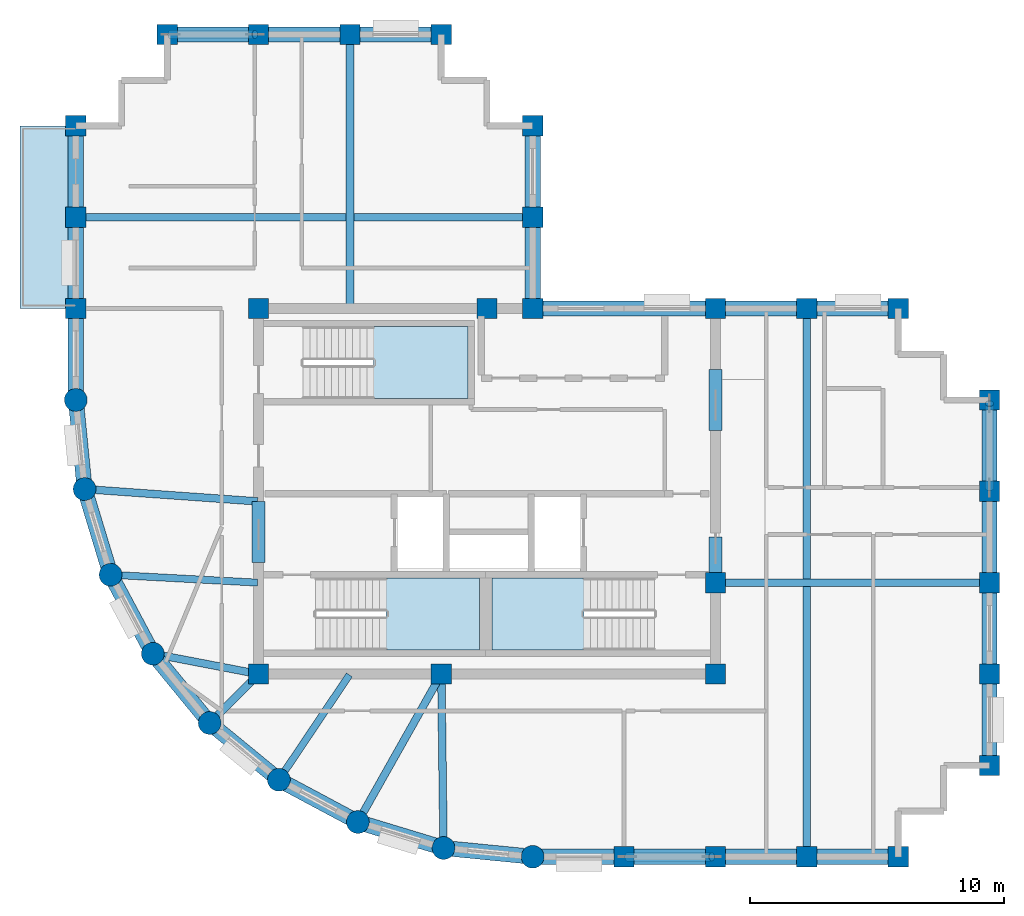
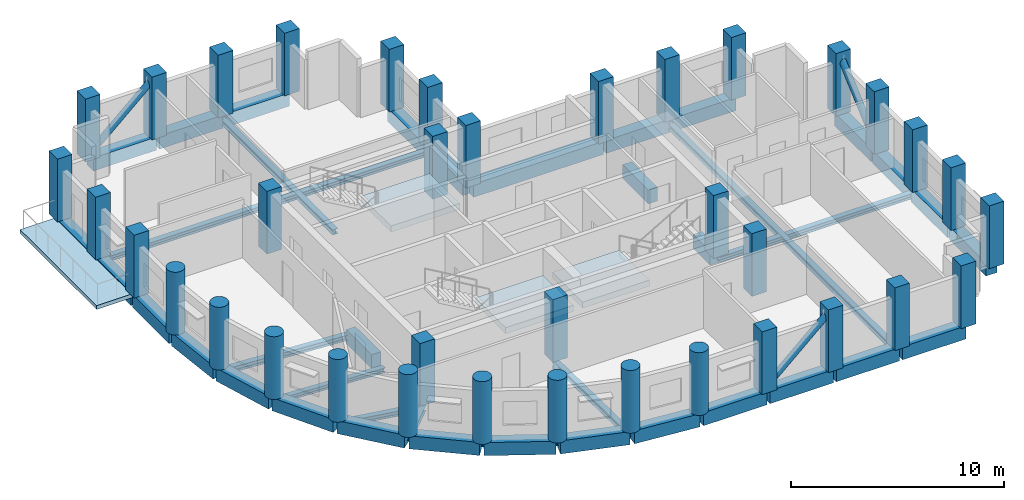
# One storey, part 1 of 7: 41 beams, 37 columns, 4 slabs, 3 members, 3 elements without a shape of their own.
"""IFC4 building model written with IfcOpenShell, lengths in metres."""

from ifc_helpers import new_model, si_unit, direction, frame, origin, origin_2d, place, context, subcontext, project, spatial, polyline, rectangle, circle, hollow_circle, i_section, outline, extrude, material, layer, layer_set, material_profile, profile_set, type_object, element, aggregate, save


model = new_model("IFC4")

# Units and contexts
model_context = context("Model", 3, precision=1e-05, world=origin(), true_north=direction((0.0, 1.0)))
body_context = subcontext(model_context, "Body", "Model", "MODEL_VIEW")
ifc_project = project(units=[si_unit("LENGTHUNIT", "METRE"), si_unit("AREAUNIT", "SQUARE_METRE"), si_unit("VOLUMEUNIT", "CUBIC_METRE"), si_unit("PLANEANGLEUNIT", "RADIAN"), si_unit("MASSUNIT", "GRAM", prefix="KILO")], contexts=[model_context])

# Site, building, storey
site_placement = place(None, origin())
site = spatial("IfcSite", under=ifc_project, at=site_placement, CompositionType="ELEMENT")
building_placement = place(site_placement, origin())
building = spatial("IfcBuilding", under=site, at=building_placement, Name="Solnavia Interchange Tower", CompositionType="ELEMENT")
storey_placement = place(building_placement, frame((0.0, 0.0, 266.60009765625)))
storey = spatial("IfcBuildingStorey", under=building, at=storey_placement, Name="L67", CompositionType="ELEMENT", Elevation=266.60009765625)

# Columns
ifc_material_1 = material(Name="Concrete C50/60", Category="concrete")
ifc_material_profile_1 = material_profile(ifc_material_1, rectangle(XDim=0.800048828125, YDim=0.800048828125, at=origin_2d()), Name="RC 800x800")
ifc_profile_set_1 = profile_set([ifc_material_profile_1], Name="Concrete C50/60")
column_type_1 = type_object("IfcColumnType", Name="Col-RC-800x800", PredefinedType="COLUMN", material=ifc_profile_set_1)
for number, where, z_axis, x_axis, name in (
    (1, (7.199951171875, 25.199951171875, 0.0), (0.0, 0.0, 1.0), (0.0, 1.0, 0.0), "COL-L67-02 Tower perim y column"),
    (2, (7.199951171875, 28.800048828125, 0.0), (0.0, 0.0, 1.0), (0.0, 1.0, 0.0), "COL-L67-03 Tower perim y column"),
    (3, (7.199951171875, 32.39990234375, 0.0), (0.0, 0.0, 1.0), (0.0, 1.0, 0.0), "COL-L67-04 Tower corner column"),
    (4, (10.800048828125, 36.0, 0.0), (0.0, 0.0, 1.0), (1.0, 0.0, 0.0), "COL-L67-08 Tower corner column"),
    (5, (14.39990234375, 10.800048828125, 0.0), (0.0, 0.0, 1.0), (1.0, 0.0, 0.0), "COL-L67-10 Tower interior column"),
    (6, (14.39990234375, 25.199951171875, 0.0), (0.0, 0.0, 1.0), (1.0, 0.0, 0.0), "COL-L67-11 Tower interior column"),
    (7, (14.39990234375, 36.0, 0.0), (0.0, 0.0, 1.0), (1.0, 0.0, 0.0), "COL-L67-12 Tower perim x column"),
    (8, (18.0, 36.0, 0.0), (0.0, 0.0, 1.0), (1.0, 0.0, 0.0), "COL-L67-14 Tower perim x column"),
    (9, (21.60009765625, 10.800048828125, 0.0), (0.0, 0.0, 1.0), (1.0, 0.0, 0.0), "COL-L67-16 Tower interior column"),
    (10, (21.60009765625, 36.0, 0.0), (0.0, 0.0, 1.0), (1.0, 0.0, 0.0), "COL-L67-17 Tower corner column"),
    (11, (23.39990234375, 25.199951171875, 0.0), (0.0, 0.0, 1.0), (1.0, 0.0, 0.0), "COL-L67-19 Tower interior column"),
    (12, (25.199951171875, 25.199951171875, 0.0), (0.0, 0.0, 1.0), (1.0, 0.0, 0.0), "COL-L67-21 Tower interior column"),
    (13, (25.199951171875, 28.800048828125, 0.0), (0.0, 0.0, 1.0), (0.0, 1.0, 0.0), "COL-L67-22 Tower perim y column"),
    (14, (25.199951171875, 32.39990234375, 0.0), (0.0, 0.0, 1.0), (0.0, 1.0, 0.0), "COL-L67-23 Tower corner column"),
    (15, (28.800048828125, 3.60009765625, 0.0), (0.0, 0.0, 1.0), (1.0, 0.0, 0.0), "COL-L67-24 Tower perim x column"),
    (16, (32.39990234375, 3.60009765625, 0.0), (0.0, 0.0, 1.0), (1.0, 0.0, 0.0), "COL-L67-25 Tower perim x column"),
    (17, (32.39990234375, 10.800048828125, 0.0), (0.0, 0.0, 1.0), (1.0, 0.0, 0.0), "COL-L67-26 Tower interior column"),
    (18, (32.39990234375, 14.39990234375, 0.0), (0.0, 0.0, 1.0), (1.0, 0.0, 0.0), "COL-L67-27 Tower interior column"),
    (19, (32.39990234375, 25.199951171875, 0.0), (0.0, 0.0, 1.0), (1.0, 0.0, 0.0), "COL-L67-28 Tower interior column"),
    (20, (36.0, 3.60009765625, 0.0), (0.0, 0.0, 1.0), (1.0, 0.0, 0.0), "COL-L67-29 Tower perim x column"),
    (21, (36.0, 25.199951171875, 0.0), (0.0, 0.0, 1.0), (1.0, 0.0, 0.0), "COL-L67-30 Tower perim x column"),
    (22, (39.60009765625, 3.60009765625, 0.0), (0.0, 0.0, 1.0), (1.0, 0.0, 0.0), "COL-L67-31 Tower corner column"),
    (23, (39.60009765625, 25.199951171875, 0.0), (0.0, 0.0, 1.0), (1.0, 0.0, 0.0), "COL-L67-32 Tower corner column"),
    (24, (43.199951171875, 7.199951171875, 0.0), (0.0, 0.0, 1.0), (1.0, 0.0, 0.0), "COL-L67-33 Tower corner column"),
    (25, (43.199951171875, 10.800048828125, 0.0), (0.0, 0.0, 1.0), (0.0, 1.0, 0.0), "COL-L67-34 Tower perim y column"),
    (26, (43.199951171875, 14.39990234375, 0.0), (0.0, 0.0, 1.0), (0.0, 1.0, 0.0), "COL-L67-35 Tower perim y column"),
    (27, (43.199951171875, 18.0, 0.0), (0.0, 0.0, 1.0), (0.0, 1.0, 0.0), "COL-L67-36 Tower perim y column"),
    (28, (43.199951171875, 21.60009765625, 0.0), (0.0, 0.0, 1.0), (0.0, 1.0, 0.0), "COL-L67-37 Tower corner column"),
):
    element("IfcColumn", number, at=place(storey_placement, frame(where, z_axis=z_axis, x_axis=x_axis)), inside=storey, type_object=column_type_1, Name=name, PredefinedType="COLUMN", context=body_context, shape_type="SweptSolid", body=[
        extrude(rectangle(XDim=0.800048828125, YDim=0.800048828125, at=origin_2d()), origin(), (0.0, 0.0, 1.0), 3.599853515625),
    ])
ifc_material_profile_2 = material_profile(ifc_material_1, circle(Radius=0.449951171875, at=origin_2d()), Name="RC D900")
ifc_profile_set_2 = profile_set([ifc_material_profile_2], Name="Concrete C50/60")
column_type_2 = type_object("IfcColumnType", Name="Col-RC-D900", PredefinedType="COLUMN", material=ifc_profile_set_2)
for number, where, z_axis, x_axis, name in (
    (29, (7.199951171875, 21.60009765625, 0.0), (0.0, 0.0, 1.0), (1.0, 0.0, 0.0), "COL-L67-01 Tower drum column"),
    (30, (7.5458984375, 18.087890625, 0.0), (0.0, 0.0, 1.0), (1.0, 0.0, 0.0), "COL-L67-05 Tower drum column"),
    (31, (8.570068359375, 14.7119140625, 0.0), (0.0, 0.0, 1.0), (1.0, 0.0, 0.0), "COL-L67-06 Tower drum column"),
    (32, (10.23388671875, 11.60009765625, 0.0), (0.0, 0.0, 1.0), (1.0, 0.0, 0.0), "COL-L67-07 Tower drum column"),
    (33, (12.471923828125, 8.8720703125, 0.0), (0.0, 0.0, 1.0), (1.0, 0.0, 0.0), "COL-L67-09 Tower drum column"),
    (34, (15.199951171875, 6.634033203125, 0.0), (0.0, 0.0, 1.0), (1.0, 0.0, 0.0), "COL-L67-13 Tower drum column"),
    (35, (18.31201171875, 4.969970703125, 0.0), (0.0, 0.0, 1.0), (1.0, 0.0, 0.0), "COL-L67-15 Tower drum column"),
    (36, (21.68798828125, 3.946044921875, 0.0), (0.0, 0.0, 1.0), (1.0, 0.0, 0.0), "COL-L67-18 Tower drum column"),
    (37, (25.199951171875, 3.60009765625, 0.0), (0.0, 0.0, 1.0), (1.0, 0.0, 0.0), "COL-L67-20 Tower drum column"),
):
    element("IfcColumn", number, at=place(storey_placement, frame(where, z_axis=z_axis, x_axis=x_axis)), inside=storey, type_object=column_type_2, Name=name, PredefinedType="COLUMN", context=body_context, shape_type="SweptSolid", body=[
        extrude(circle(Radius=0.449951171875, at=origin_2d()), origin(), (0.0, 0.0, 1.0), 3.599853515625),
    ])

# Beams
ifc_material_profile_3 = material_profile(ifc_material_1, rectangle(XDim=0.5, YDim=0.800048828125, at=origin_2d()), Name="RC 500x800")
ifc_profile_set_3 = profile_set([ifc_material_profile_3], Name="Concrete C50/60")
beam_type_1 = type_object("IfcBeamType", Name="Beam-Coupling-RC500x800", PredefinedType="LINTEL", material=ifc_profile_set_3)
beam_1_placement = place(storey_placement, frame((14.39990234375, 15.199951171875, -0.400146484375), z_axis=(0.0, 1.0, 0.0), x_axis=(-1.0, 0.0, 0.0)))
element("IfcBeam", 38, at=beam_1_placement, inside=storey, type_object=beam_type_1, Name="CPB-L67-W1 Core coupling lintel beam", PredefinedType="LINTEL", context=body_context, shape_type="SweptSolid", body=[
    extrude(rectangle(XDim=0.5, YDim=0.800048828125, at=origin_2d()), origin(), (0.0, 0.0, 1.0), 2.400146484375),
])
beam_2_placement = place(storey_placement, frame((32.39990234375, 14.60009765625, -0.400146484375), z_axis=(0.0, 1.0, 0.0), x_axis=(-1.0, 0.0, 0.0)))
element("IfcBeam", 39, at=beam_2_placement, inside=storey, type_object=beam_type_1, Name="CPB-L67-E1 Core coupling lintel beam", PredefinedType="LINTEL", context=body_context, shape_type="SweptSolid", body=[
    extrude(rectangle(XDim=0.5, YDim=0.800048828125, at=origin_2d()), origin(), (0.0, 0.0, 1.0), 1.599853515625),
])
beam_3_placement = place(storey_placement, frame((32.39990234375, 20.39990234375, -0.400146484375), z_axis=(0.0, 1.0, 0.0), x_axis=(-1.0, 0.0, 0.0)))
element("IfcBeam", 40, at=beam_3_placement, inside=storey, type_object=beam_type_1, Name="CPB-L67-E2 Core coupling lintel beam", PredefinedType="LINTEL", context=body_context, shape_type="SweptSolid", body=[
    extrude(rectangle(XDim=0.5, YDim=0.800048828125, at=origin_2d()), origin(), (0.0, 0.0, 1.0), 2.400146484375),
])
ifc_material_2 = material(Name="Steel S460", Category="steel")
ifc_material_profile_4 = material_profile(ifc_material_2, i_section(OverallWidth=0.300048828125, OverallDepth=0.300048828125, WebThickness=0.010986328125, FlangeThickness=0.01904296875, FilletRadius=0.027099609375, at=origin_2d()), Name="HEB 300")
ifc_profile_set_4 = profile_set([ifc_material_profile_4], Name="Steel S460")
beam_type_2 = type_object("IfcBeamType", Name="Beam-Girder-HEB300", PredefinedType="BEAM", material=ifc_profile_set_4)
beam_4_placement = place(storey_placement, frame((32.47998046875, 14.39990234375, -0.400146484375), z_axis=(1.0, 0.0, 0.0), x_axis=(0.0, 1.0, 0.0)))
element("IfcBeam", 41, at=beam_4_placement, inside=storey, type_object=beam_type_2, Name="GRD-L67-ES01 East wing spine girder", PredefinedType="BEAM", context=body_context, shape_type="SweptSolid", body=[
    extrude(i_section(OverallWidth=0.300048828125, OverallDepth=0.300048828125, WebThickness=0.010986328125, FlangeThickness=0.01904296875, FilletRadius=0.027099609375, at=origin_2d()), origin(), (0.0, 0.0, 1.0), 10.64013671875),
])
beam_5_placement = place(storey_placement, frame((18.0, 25.280029296875, -0.400146484375), z_axis=(0.0, 1.0, 0.0), x_axis=(-1.0, 0.0, 0.0)))
element("IfcBeam", 42, at=beam_5_placement, inside=storey, type_object=beam_type_2, Name="GRD-L67-NS03 North wing spine girder", PredefinedType="BEAM", context=body_context, shape_type="SweptSolid", body=[
    extrude(i_section(OverallWidth=0.300048828125, OverallDepth=0.300048828125, WebThickness=0.010986328125, FlangeThickness=0.01904296875, FilletRadius=0.027099609375, at=origin_2d()), origin(), (0.0, 0.0, 1.0), 10.639892578125),
])
beam_6_placement = place(storey_placement, frame((7.280029296875, 28.800048828125, -0.400146484375), z_axis=(1.0, 0.0, 0.0), x_axis=(0.0, 1.0, 0.0)))
element("IfcBeam", 43, at=beam_6_placement, inside=storey, type_object=beam_type_2, Name="GRD-L67-NW04 North wing primary floor girder", PredefinedType="BEAM", context=body_context, shape_type="SweptSolid", body=[
    extrude(i_section(OverallWidth=0.300048828125, OverallDepth=0.300048828125, WebThickness=0.010986328125, FlangeThickness=0.01904296875, FilletRadius=0.027099609375, at=origin_2d()), origin(), (0.0, 0.0, 1.0), 17.840087890625),
])
beam_7_placement = place(storey_placement, frame((10.3125, 11.5849609375, -0.400146484375), z_axis=(0.982057527796, -0.188581579428, 0.0), x_axis=(0.188581579428, 0.982057527796, 0.0)))
element("IfcBeam", 44, at=beam_7_placement, inside=storey, type_object=beam_type_2, Name="GRD-L67-DR07 Drum radial floor girder", PredefinedType="BEAM", context=body_context, shape_type="SweptSolid", body=[
    extrude(i_section(OverallWidth=0.300048828125, OverallDepth=0.300048828125, WebThickness=0.010986328125, FlangeThickness=0.01904296875, FilletRadius=0.027099609375, at=origin_2d()), origin(), (0.0, 0.0, 1.0), 4.1220703125),
])
beam_8_placement = place(storey_placement, frame((18.351318359375, 5.039794921875, -0.400146484375), z_axis=(0.491243158486, 0.871022479182, 0.0), x_axis=(-0.871022479182, 0.491243158486, 0.0)))
element("IfcBeam", 45, at=beam_8_placement, inside=storey, type_object=beam_type_2, Name="GRD-L67-DR10 Drum radial floor girder", PredefinedType="BEAM", context=body_context, shape_type="SweptSolid", body=[
    extrude(i_section(OverallWidth=0.300048828125, OverallDepth=0.300048828125, WebThickness=0.010986328125, FlangeThickness=0.01904296875, FilletRadius=0.027099609375, at=origin_2d()), origin(), (0.0, 0.0, 1.0), 6.5732421875),
])
ifc_material_3 = material(Name="Steel S355", Category="steel")
ifc_material_profile_5 = material_profile(ifc_material_3, i_section(OverallWidth=0.280029296875, OverallDepth=0.27001953125, WebThickness=0.008056640625, FlangeThickness=0.012939453125, FilletRadius=0.02392578125, at=origin_2d()), Name="HEA 280")
ifc_profile_set_5 = profile_set([ifc_material_profile_5], Name="Steel S355")
beam_type_3 = type_object("IfcBeamType", Name="Beam-Primary-HEA280", PredefinedType="BEAM", material=ifc_profile_set_5)
beam_9_placement = place(storey_placement, frame((8.64990234375, 14.707763671875, -0.385009765625), z_axis=(0.998570371303, -0.053452909696, 0.0), x_axis=(0.053452909696, 0.998570371303, 0.0)))
element("IfcBeam", 46, at=beam_9_placement, inside=storey, type_object=beam_type_3, Name="GRD-L67-DR06 Drum radial floor girder", PredefinedType="BEAM", context=body_context, shape_type="SweptSolid", body=[
    extrude(i_section(OverallWidth=0.280029296875, OverallDepth=0.27001953125, WebThickness=0.008056640625, FlangeThickness=0.012939453125, FilletRadius=0.02392578125, at=origin_2d()), origin(), (0.0, 0.0, 1.0), 5.71826171875),
])
beam_10_placement = place(storey_placement, frame((15.24462890625, 6.700439453125, -0.385009765625), z_axis=(0.557835474219, 0.829951555033, 0.0), x_axis=(-0.829951555033, 0.557835474219, 0.0)))
element("IfcBeam", 47, at=beam_10_placement, inside=storey, type_object=beam_type_3, Name="GRD-L67-DR09 Drum radial floor girder", PredefinedType="BEAM", context=body_context, shape_type="SweptSolid", body=[
    extrude(i_section(OverallWidth=0.280029296875, OverallDepth=0.27001953125, WebThickness=0.008056640625, FlangeThickness=0.012939453125, FilletRadius=0.02392578125, at=origin_2d()), origin(), (0.0, 0.0, 1.0), 4.899658203125),
])
ifc_material_profile_6 = material_profile(ifc_material_3, i_section(OverallWidth=0.300048828125, OverallDepth=0.31005859375, WebThickness=0.009033203125, FlangeThickness=0.015380859375, FilletRadius=0.027099609375, at=origin_2d()), Name="HEA 320")
ifc_profile_set_6 = profile_set([ifc_material_profile_6], Name="Steel S355")
beam_type_4 = type_object("IfcBeamType", Name="Beam-Primary-HEA320", PredefinedType="BEAM", material=ifc_profile_set_6)
beam_11_placement = place(storey_placement, frame((36.0, 3.679931640625, -0.405029296875), z_axis=(0.0, 1.0, 0.0), x_axis=(-1.0, 0.0, 0.0)))
element("IfcBeam", 48, at=beam_11_placement, inside=storey, type_object=beam_type_4, Name="GRD-L67-EW02 East wing primary floor girder", PredefinedType="BEAM", context=body_context, shape_type="SweptSolid", body=[
    extrude(i_section(OverallWidth=0.300048828125, OverallDepth=0.31005859375, WebThickness=0.009033203125, FlangeThickness=0.015380859375, FilletRadius=0.027099609375, at=origin_2d()), origin(), (0.0, 0.0, 1.0), 21.440185546875),
])
beam_12_placement = place(storey_placement, frame((7.625732421875, 18.082275390625, -0.405029296875), z_axis=(0.99747482749, -0.071020902015, 0.0), x_axis=(0.071020902015, 0.99747482749, 0.0)))
element("IfcBeam", 49, at=beam_12_placement, inside=storey, type_object=beam_type_4, Name="GRD-L67-DR05 Drum radial floor girder", PredefinedType="BEAM", context=body_context, shape_type="SweptSolid", body=[
    extrude(i_section(OverallWidth=0.300048828125, OverallDepth=0.31005859375, WebThickness=0.009033203125, FlangeThickness=0.015380859375, FilletRadius=0.027099609375, at=origin_2d()), origin(), (0.0, 0.0, 1.0), 6.75146484375),
])
beam_13_placement = place(storey_placement, frame((12.528564453125, 8.9287109375, -0.405029296875), z_axis=(0.707106781187, 0.707106781187, 0.0), x_axis=(-0.707106781187, 0.707106781187, 0.0)))
element("IfcBeam", 50, at=beam_13_placement, inside=storey, type_object=beam_type_4, Name="GRD-L67-DR08 Drum radial floor girder", PredefinedType="BEAM", context=body_context, shape_type="SweptSolid", body=[
    extrude(i_section(OverallWidth=0.300048828125, OverallDepth=0.31005859375, WebThickness=0.009033203125, FlangeThickness=0.015380859375, FilletRadius=0.027099609375, at=origin_2d()), origin(), (0.0, 0.0, 1.0), 2.6064453125),
])
beam_14_placement = place(storey_placement, frame((21.68701171875, 4.02587890625, -0.405029296875), z_axis=(-0.01283293513, 0.999917654498, 0.0), x_axis=(-0.999917654498, -0.01283293513, 0.0)))
element("IfcBeam", 51, at=beam_14_placement, inside=storey, type_object=beam_type_4, Name="GRD-L67-DR11 Drum radial floor girder", PredefinedType="BEAM", context=body_context, shape_type="SweptSolid", body=[
    extrude(i_section(OverallWidth=0.300048828125, OverallDepth=0.31005859375, WebThickness=0.009033203125, FlangeThickness=0.015380859375, FilletRadius=0.027099609375, at=origin_2d()), origin(), (0.0, 0.0, 1.0), 6.734619140625),
])
ifc_material_profile_7 = material_profile(ifc_material_1, rectangle(XDim=0.60009765625, YDim=0.75, at=origin_2d()), Name="RC 600x750")
ifc_profile_set_7 = profile_set([ifc_material_profile_7], Name="Concrete C50/60")
beam_type_5 = type_object("IfcBeamType", Name="Beam-Spandrel-RC600x750", PredefinedType="SPANDREL", material=ifc_profile_set_7)
beam_15_placement = place(storey_placement, frame((7.207763671875, 21.5205078125, -0.375), z_axis=(0.098040038117, -0.995182471171, 0.0), x_axis=(0.995182471171, 0.098040038117, 0.0)))
element("IfcBeam", 52, at=beam_15_placement, inside=storey, type_object=beam_type_5, Name="SPB-L67-01 Framed-tube perimeter spandrel beam", PredefinedType="SPANDREL", context=body_context, shape_type="SweptSolid", body=[
    extrude(rectangle(XDim=0.60009765625, YDim=0.75, at=origin_2d()), origin(), (0.0, 0.0, 1.0), 3.369140625),
])
beam_16_placement = place(storey_placement, frame((7.569091796875, 18.011474609375, -0.375), z_axis=(0.290319223646, -0.956929855518, 0.0), x_axis=(0.956929855518, 0.290319223646, 0.0)))
element("IfcBeam", 53, at=beam_16_placement, inside=storey, type_object=beam_type_5, Name="SPB-L67-02 Framed-tube perimeter spandrel beam", PredefinedType="SPANDREL", context=body_context, shape_type="SweptSolid", body=[
    extrude(rectangle(XDim=0.60009765625, YDim=0.75, at=origin_2d()), origin(), (0.0, 0.0, 1.0), 3.367919921875),
])
beam_17_placement = place(storey_placement, frame((8.607666015625, 14.6416015625, -0.375), z_axis=(0.471509422952, -0.881861023102, 0.0), x_axis=(0.881861023102, 0.471509422952, 0.0)))
element("IfcBeam", 54, at=beam_17_placement, inside=storey, type_object=beam_type_5, Name="SPB-L67-03 Framed-tube perimeter spandrel beam", PredefinedType="SPANDREL", context=body_context, shape_type="SweptSolid", body=[
    extrude(rectangle(XDim=0.60009765625, YDim=0.75, at=origin_2d()), origin(), (0.0, 0.0, 1.0), 3.369140625),
])
for number, where, z_axis, x_axis, name in (
    (55, (10.28466796875, 11.5380859375, -0.375), (0.634298841675, -0.773087950656, 0.0), (0.773087950656, 0.634298841675, 0.0), "SPB-L67-04 Framed-tube perimeter spandrel beam"),
    (56, (12.53369140625, 8.8212890625, -0.375), (0.773152644452, -0.634219984214, 0.0), (0.634219984214, 0.773152644452, 0.0), "SPB-L67-05 Framed-tube perimeter spandrel beam"),
):
    element("IfcBeam", number, at=place(storey_placement, frame(where, z_axis=z_axis, x_axis=x_axis)), inside=storey, type_object=beam_type_5, Name=name, PredefinedType="SPANDREL", context=body_context, shape_type="SweptSolid", body=[
        extrude(rectangle(XDim=0.60009765625, YDim=0.75, at=origin_2d()), origin(), (0.0, 0.0, 1.0), 3.36865234375),
    ])
beam_18_placement = place(storey_placement, frame((15.2705078125, 6.59619140625, -0.375), z_axis=(0.881875044348, -0.47148319817, 0.0), x_axis=(0.47148319817, 0.881875044348, 0.0)))
element("IfcBeam", 57, at=beam_18_placement, inside=storey, type_object=beam_type_5, Name="SPB-L67-06 Framed-tube perimeter spandrel beam", PredefinedType="SPANDREL", context=body_context, shape_type="SweptSolid", body=[
    extrude(rectangle(XDim=0.60009765625, YDim=0.75, at=origin_2d()), origin(), (0.0, 0.0, 1.0), 3.368896484375),
])
beam_19_placement = place(storey_placement, frame((18.388671875, 4.94677734375, -0.375), z_axis=(0.956943884494, -0.290272978297, 0.0), x_axis=(0.290272978297, 0.956943884494, 0.0)))
element("IfcBeam", 58, at=beam_19_placement, inside=storey, type_object=beam_type_5, Name="SPB-L67-07 Framed-tube perimeter spandrel beam", PredefinedType="SPANDREL", context=body_context, shape_type="SweptSolid", body=[
    extrude(rectangle(XDim=0.60009765625, YDim=0.75, at=origin_2d()), origin(), (0.0, 0.0, 1.0), 3.36767578125),
])
beam_20_placement = place(storey_placement, frame((21.767578125, 3.938232421875, -0.375), z_axis=(0.995181774609, -0.098047108501, 0.0), x_axis=(0.098047108501, 0.995181774609, 0.0)))
element("IfcBeam", 59, at=beam_20_placement, inside=storey, type_object=beam_type_5, Name="SPB-L67-08 Framed-tube perimeter spandrel beam", PredefinedType="SPANDREL", context=body_context, shape_type="SweptSolid", body=[
    extrude(rectangle(XDim=0.60009765625, YDim=0.75, at=origin_2d()), origin(), (0.0, 0.0, 1.0), 3.368896484375),
])
beam_21_placement = place(storey_placement, frame((25.280029296875, 3.60009765625, -0.375), z_axis=(1.0, 0.0, 0.0), x_axis=(0.0, 1.0, 0.0)))
element("IfcBeam", 60, at=beam_21_placement, inside=storey, type_object=beam_type_5, Name="SPB-L67-09 Framed-tube perimeter spandrel beam", PredefinedType="SPANDREL", context=body_context, shape_type="SweptSolid", body=[
    extrude(rectangle(XDim=0.60009765625, YDim=0.75, at=origin_2d()), origin(), (0.0, 0.0, 1.0), 3.43994140625),
])
beam_22_placement = place(storey_placement, frame((28.8798828125, 3.60009765625, -0.375), z_axis=(1.0, 0.0, 0.0), x_axis=(0.0, 1.0, 0.0)))
element("IfcBeam", 61, at=beam_22_placement, inside=storey, type_object=beam_type_5, Name="SPB-L67-10 Framed-tube perimeter spandrel beam", PredefinedType="SPANDREL", context=body_context, shape_type="SweptSolid", body=[
    extrude(rectangle(XDim=0.60009765625, YDim=0.75, at=origin_2d()), origin(), (0.0, 0.0, 1.0), 3.440185546875),
])
for number, where, z_axis, x_axis, name in (
    (62, (32.47998046875, 3.60009765625, -0.375), (1.0, 0.0, 0.0), (0.0, 1.0, 0.0), "SPB-L67-11 Framed-tube perimeter spandrel beam"),
    (63, (36.080078125, 3.60009765625, -0.375), (1.0, 0.0, 0.0), (0.0, 1.0, 0.0), "SPB-L67-12 Framed-tube perimeter spandrel beam"),
    (64, (43.199951171875, 7.280029296875, -0.375), (0.0, 1.0, 0.0), (-1.0, 0.0, 0.0), "SPB-L67-13 Framed-tube perimeter spandrel beam"),
):
    element("IfcBeam", number, at=place(storey_placement, frame(where, z_axis=z_axis, x_axis=x_axis)), inside=storey, type_object=beam_type_5, Name=name, PredefinedType="SPANDREL", context=body_context, shape_type="SweptSolid", body=[
        extrude(rectangle(XDim=0.60009765625, YDim=0.75, at=origin_2d()), origin(), (0.0, 0.0, 1.0), 3.43994140625),
    ])
beam_23_placement = place(storey_placement, frame((43.199951171875, 10.8798828125, -0.375), z_axis=(0.0, 1.0, 0.0), x_axis=(-1.0, 0.0, 0.0)))
element("IfcBeam", 65, at=beam_23_placement, inside=storey, type_object=beam_type_5, Name="SPB-L67-14 Framed-tube perimeter spandrel beam", PredefinedType="SPANDREL", context=body_context, shape_type="SweptSolid", body=[
    extrude(rectangle(XDim=0.60009765625, YDim=0.75, at=origin_2d()), origin(), (0.0, 0.0, 1.0), 3.440185546875),
])
for number, where, z_axis, x_axis, name in (
    (66, (43.199951171875, 14.47998046875, -0.375), (0.0, 1.0, 0.0), (-1.0, 0.0, 0.0), "SPB-L67-15 Framed-tube perimeter spandrel beam"),
    (67, (43.199951171875, 18.080078125, -0.375), (0.0, 1.0, 0.0), (-1.0, 0.0, 0.0), "SPB-L67-16 Framed-tube perimeter spandrel beam"),
    (68, (39.52001953125, 25.199951171875, -0.375), (-1.0, 0.0, 0.0), (0.0, -1.0, 0.0), "SPB-L67-17 Framed-tube perimeter spandrel beam"),
    (69, (35.919921875, 25.199951171875, -0.375), (-1.0, 0.0, 0.0), (0.0, -1.0, 0.0), "SPB-L67-18 Framed-tube perimeter spandrel beam"),
):
    element("IfcBeam", number, at=place(storey_placement, frame(where, z_axis=z_axis, x_axis=x_axis)), inside=storey, type_object=beam_type_5, Name=name, PredefinedType="SPANDREL", context=body_context, shape_type="SweptSolid", body=[
        extrude(rectangle(XDim=0.60009765625, YDim=0.75, at=origin_2d()), origin(), (0.0, 0.0, 1.0), 3.43994140625),
    ])
beam_24_placement = place(storey_placement, frame((32.320068359375, 25.199951171875, -0.375), z_axis=(-1.0, 0.0, 0.0), x_axis=(0.0, -1.0, 0.0)))
element("IfcBeam", 70, at=beam_24_placement, inside=storey, type_object=beam_type_5, Name="SPB-L67-19 Framed-tube perimeter spandrel beam", PredefinedType="SPANDREL", context=body_context, shape_type="SweptSolid", body=[
    extrude(rectangle(XDim=0.60009765625, YDim=0.75, at=origin_2d()), origin(), (0.0, 0.0, 1.0), 7.0400390625),
])
beam_25_placement = place(storey_placement, frame((25.199951171875, 25.280029296875, -0.375), z_axis=(0.0, 1.0, 0.0), x_axis=(-1.0, 0.0, 0.0)))
element("IfcBeam", 71, at=beam_25_placement, inside=storey, type_object=beam_type_5, Name="SPB-L67-20 Framed-tube perimeter spandrel beam", PredefinedType="SPANDREL", context=body_context, shape_type="SweptSolid", body=[
    extrude(rectangle(XDim=0.60009765625, YDim=0.75, at=origin_2d()), origin(), (0.0, 0.0, 1.0), 3.43994140625),
])
beam_26_placement = place(storey_placement, frame((25.199951171875, 28.8798828125, -0.375), z_axis=(0.0, 1.0, 0.0), x_axis=(-1.0, 0.0, 0.0)))
element("IfcBeam", 72, at=beam_26_placement, inside=storey, type_object=beam_type_5, Name="SPB-L67-21 Framed-tube perimeter spandrel beam", PredefinedType="SPANDREL", context=body_context, shape_type="SweptSolid", body=[
    extrude(rectangle(XDim=0.60009765625, YDim=0.75, at=origin_2d()), origin(), (0.0, 0.0, 1.0), 3.440185546875),
])
for number, where, z_axis, x_axis, name in (
    (73, (21.52001953125, 36.0, -0.375), (-1.0, 0.0, 0.0), (0.0, -1.0, 0.0), "SPB-L67-22 Framed-tube perimeter spandrel beam"),
    (74, (17.919921875, 36.0, -0.375), (-1.0, 0.0, 0.0), (0.0, -1.0, 0.0), "SPB-L67-23 Framed-tube perimeter spandrel beam"),
):
    element("IfcBeam", number, at=place(storey_placement, frame(where, z_axis=z_axis, x_axis=x_axis)), inside=storey, type_object=beam_type_5, Name=name, PredefinedType="SPANDREL", context=body_context, shape_type="SweptSolid", body=[
        extrude(rectangle(XDim=0.60009765625, YDim=0.75, at=origin_2d()), origin(), (0.0, 0.0, 1.0), 3.43994140625),
    ])
for number, where, z_axis, x_axis, name in (
    (75, (14.320068359375, 36.0, -0.375), (-1.0, 0.0, 0.0), (0.0, -1.0, 0.0), "SPB-L67-24 Framed-tube perimeter spandrel beam"),
    (76, (7.199951171875, 32.320068359375, -0.375), (0.0, -1.0, 0.0), (1.0, 0.0, 0.0), "SPB-L67-25 Framed-tube perimeter spandrel beam"),
):
    element("IfcBeam", number, at=place(storey_placement, frame(where, z_axis=z_axis, x_axis=x_axis)), inside=storey, type_object=beam_type_5, Name=name, PredefinedType="SPANDREL", context=body_context, shape_type="SweptSolid", body=[
        extrude(rectangle(XDim=0.60009765625, YDim=0.75, at=origin_2d()), origin(), (0.0, 0.0, 1.0), 3.440185546875),
    ])
beam_27_placement = place(storey_placement, frame((7.199951171875, 28.719970703125, -0.375), z_axis=(0.0, -1.0, 0.0), x_axis=(1.0, 0.0, 0.0)))
element("IfcBeam", 77, at=beam_27_placement, inside=storey, type_object=beam_type_5, Name="SPB-L67-26 Framed-tube perimeter spandrel beam", PredefinedType="SPANDREL", context=body_context, shape_type="SweptSolid", body=[
    extrude(rectangle(XDim=0.60009765625, YDim=0.75, at=origin_2d()), origin(), (0.0, 0.0, 1.0), 3.43994140625),
])
beam_28_placement = place(storey_placement, frame((7.199951171875, 25.1201171875, -0.375), z_axis=(0.0, -1.0, 0.0), x_axis=(1.0, 0.0, 0.0)))
element("IfcBeam", 78, at=beam_28_placement, inside=storey, type_object=beam_type_5, Name="SPB-L67-27 Framed-tube perimeter spandrel beam", PredefinedType="SPANDREL", context=body_context, shape_type="SweptSolid", body=[
    extrude(rectangle(XDim=0.60009765625, YDim=0.75, at=origin_2d()), origin(), (0.0, 0.0, 1.0), 3.440185546875),
])

# Members
ifc_material_profile_8 = material_profile(ifc_material_2, hollow_circle(Radius=0.177734375, WallThickness=0.01611328125, at=origin_2d()), Name="CHS 355.6x16")
ifc_profile_set_8 = profile_set([ifc_material_profile_8], Name="Steel S460")
member_type = type_object("IfcMemberType", Name="Brace-Perim-CHS355", PredefinedType="BRACE", material=ifc_profile_set_8)
for number, where, z_axis, x_axis, name in (
    (79, (28.93994140625, 3.60009765625, 0.179931640625), (0.74307946371, 0.0, 0.669203190827), (0.0, 1.0, 0.0), "BRC-L67-01 Perimeter tube diagonal brace"),
    (80, (43.199951171875, 18.139892578125, 0.179931640625), (0.0, 0.74307946371, 0.669203190827), (-1.0, 0.0, 0.0), "BRC-L67-02 Perimeter tube diagonal brace"),
    (81, (10.93994140625, 36.0, 0.179931640625), (0.74307946371, 0.0, 0.669203190827), (0.0, 1.0, 0.0), "BRC-L67-03 Perimeter tube diagonal brace"),
):
    element("IfcMember", number, at=place(storey_placement, frame(where, z_axis=z_axis, x_axis=x_axis)), inside=storey, type_object=member_type, Name=name, PredefinedType="BRACE", context=body_context, shape_type="SweptSolid", body=[
        extrude(hollow_circle(Radius=0.177734375, WallThickness=0.01611328125, at=origin_2d()), origin(), (0.0, 0.0, 1.0), 4.468017578125),
    ])

# Stair, slab
ifc_material_4 = material(Name="Concrete C40/50", Category="concrete")
stair_type = type_object("IfcStairType", Name="Stair-Dogleg-RC", PredefinedType="HALF_TURN_STAIR", material=ifc_material_4)
stair_1_placement = place(storey_placement, origin())
stair_1 = element("IfcStair", 82, at=stair_1_placement, inside=storey, type_object=stair_type, Name="L67 Core exit stair 1", PredefinedType="HALF_TURN_STAIR")
ifc_layer_1 = layer(ifc_material_4, 0.35009765625)
ifc_layer_set_1 = layer_set([ifc_layer_1], Name="Concrete C40/50")
slab_type_1 = type_object("IfcSlabType", Name="Slab-StairLanding-350", PredefinedType="LANDING", material=ifc_layer_set_1)
slab_1_placement = place(storey_placement, frame((0.0, 0.0, 1.449951171875)))
slab_1 = element("IfcSlab", 83, at=slab_1_placement, type_object=slab_type_1, Name="ST-1 landing 1", PredefinedType="LANDING", context=body_context, shape_type="SweptSolid", body=[
    extrude(outline(polyline([(19.427978515625, 11.75), (23.10009765625, 11.75), (23.10009765625, 14.590087890625), (19.427978515625, 14.590087890625), (19.427978515625, 11.75)])), origin(), (0.0, 0.0, 1.0), 0.349853515625),
])
aggregate(stair_1, [slab_1])

stair_2_placement = place(storey_placement, origin())
stair_2 = element("IfcStair", 84, at=stair_2_placement, inside=storey, type_object=stair_type, Name="L67 Core exit stair 2", PredefinedType="HALF_TURN_STAIR")
slab_2_placement = place(storey_placement, frame((0.0, 0.0, 1.449951171875)))
slab_2 = element("IfcSlab", 85, at=slab_2_placement, type_object=slab_type_1, Name="ST-2 landing 1", PredefinedType="LANDING", context=body_context, shape_type="SweptSolid", body=[
    extrude(outline(polyline([(23.60009765625, 11.75), (27.221923828125, 11.75), (27.221923828125, 14.590087890625), (23.60009765625, 14.590087890625), (23.60009765625, 11.75)])), origin(), (0.0, 0.0, 1.0), 0.349853515625),
])
aggregate(stair_2, [slab_2])

stair_3_placement = place(storey_placement, origin())
stair_3 = element("IfcStair", 86, at=stair_3_placement, inside=storey, type_object=stair_type, Name="L67 Core exit stair 3", PredefinedType="HALF_TURN_STAIR")
slab_3_placement = place(storey_placement, frame((0.0, 0.0, 1.449951171875)))
slab_3 = element("IfcSlab", 87, at=slab_3_placement, type_object=slab_type_1, Name="ST-3 landing 1", PredefinedType="LANDING", context=body_context, shape_type="SweptSolid", body=[
    extrude(outline(polyline([(18.927978515625, 21.64990234375), (22.64990234375, 21.64990234375), (22.64990234375, 24.489990234375), (18.927978515625, 24.489990234375), (18.927978515625, 21.64990234375)])), origin(), (0.0, 0.0, 1.0), 0.349853515625),
])
aggregate(stair_3, [slab_3])

# Slab
ifc_layer_2 = layer(ifc_material_4, 0.219970703125)
ifc_layer_set_2 = layer_set([ifc_layer_2], Name="Concrete C40/50")
slab_type_2 = type_object("IfcSlabType", Name="Slab-Terrace-220", PredefinedType="FLOOR", material=ifc_layer_set_2)
slab_4_placement = place(storey_placement, frame((0.0, 0.0, -0.260009765625)))
element("IfcSlab", 88, at=slab_4_placement, inside=storey, type_object=slab_type_2, Name="TER-L67-01 Outdoor spiral terrace slab", PredefinedType="FLOOR", context=body_context, shape_type="SweptSolid", body=[
    extrude(outline(polyline([(5.0, 25.199951171875), (7.199951171875, 25.199951171875), (7.199951171875, 32.39990234375), (5.0, 32.39990234375), (5.0, 25.199951171875)])), origin(), (0.0, 0.0, 1.0), 0.219970703125),
])

save(model, "model.ifc")
